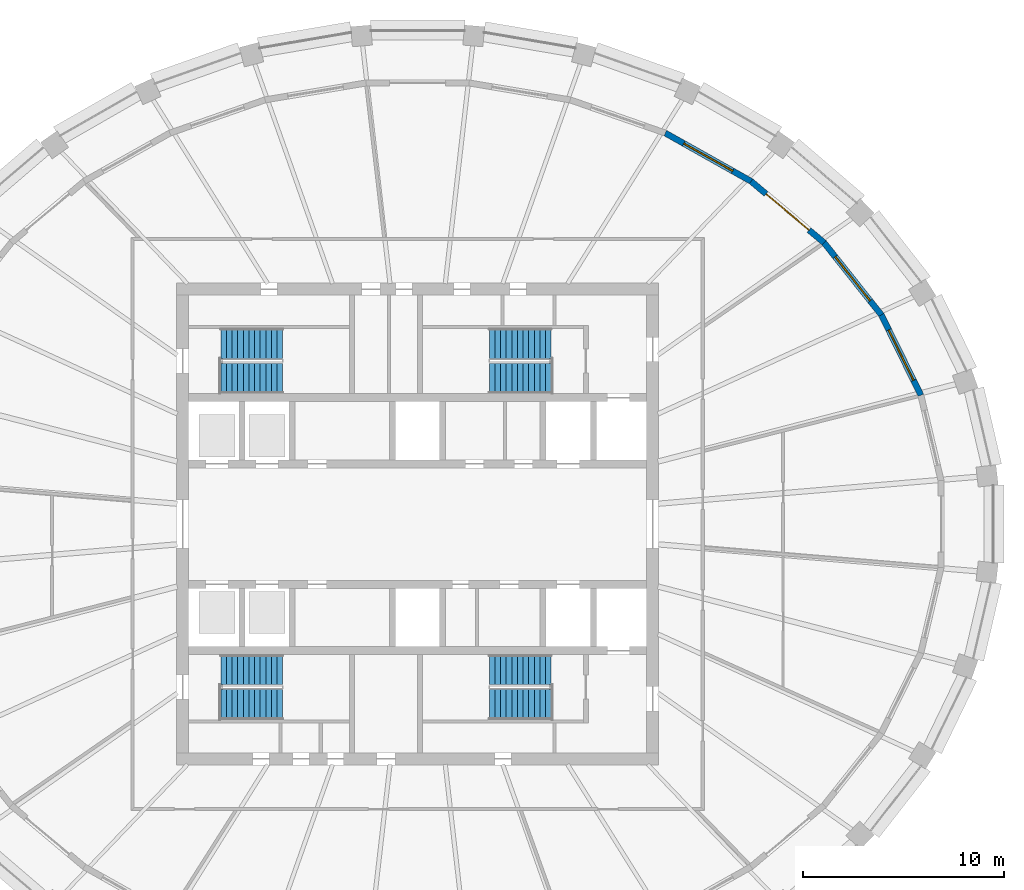
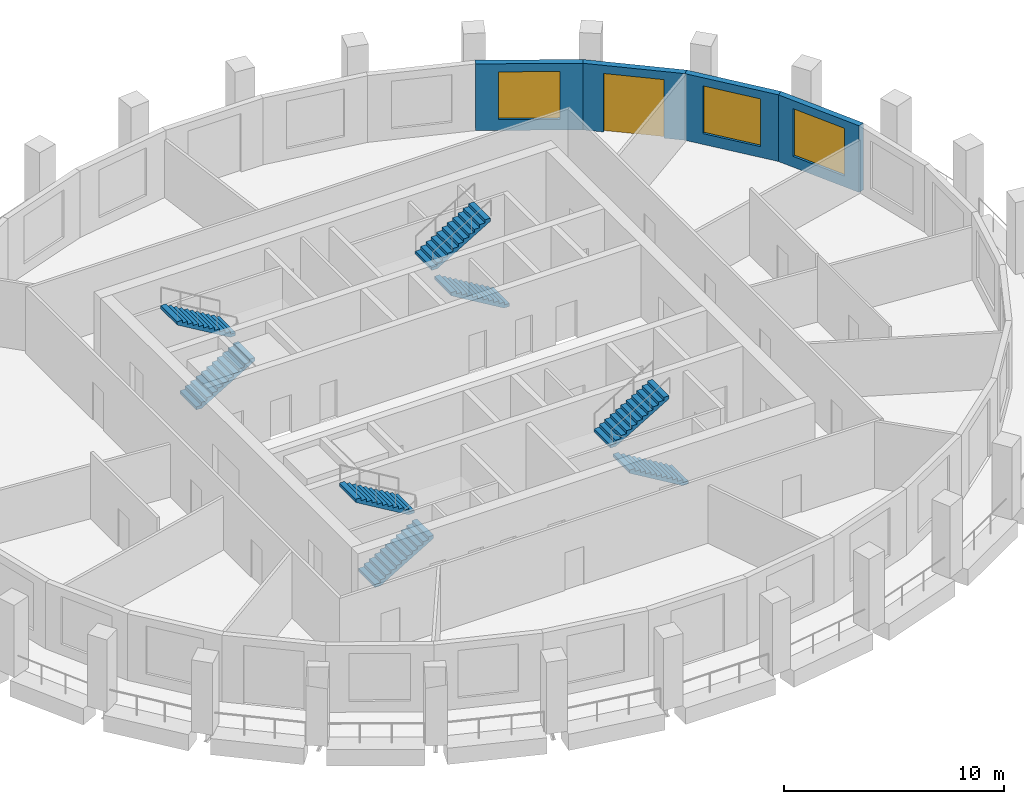
# One storey, part 7 of 10: 8 stair flights, 4 walls, 3 windows, 1 door, 4 openings, 4 elements without a shape of their own.
"""IFC4 building model written with IfcOpenShell, lengths in metres."""

from ifc_helpers import new_model, si_unit, direction, frame, frame_2d, origin, place, context, subcontext, project, spatial, polyline, rectangle, outline, extrude, material, layer, layer_set, type_object, element, fill, aggregate, save


model = new_model("IFC4")

# Units and contexts
model_context = context("Model", 3, precision=1e-05, world=origin(), true_north=direction((0.0, 1.0)))
body_context = subcontext(model_context, "Body", "Model", "MODEL_VIEW")
ifc_project = project(units=[si_unit("LENGTHUNIT", "METRE"), si_unit("AREAUNIT", "SQUARE_METRE"), si_unit("VOLUMEUNIT", "CUBIC_METRE"), si_unit("PLANEANGLEUNIT", "RADIAN"), si_unit("MASSUNIT", "GRAM", prefix="KILO")], contexts=[model_context])

# Site, building, storey
site_placement = place(None, origin())
site = spatial("IfcSite", under=ifc_project, at=site_placement, CompositionType="ELEMENT")
building_placement = place(site_placement, origin())
building = spatial("IfcBuilding", under=site, at=building_placement, Name="Halqa Exchange Tower", CompositionType="ELEMENT")
storey_placement = place(building_placement, frame((0.0, 0.0, 312.300048828125)))
storey = spatial("IfcBuildingStorey", under=building, at=storey_placement, Name="L73", CompositionType="ELEMENT", Elevation=312.300048828125)

# Wall, opening, window
ifc_material_1 = material(Name="Limestone cladding", Category="masonry")
ifc_layer_1 = layer(ifc_material_1, 0.0400390625)
ifc_material_2 = material(Name="Ventilated cavity")
ifc_layer_2 = layer(ifc_material_2, 0.030029296875, ventilated=True)
ifc_material_3 = material(Name="Mineral wool insulation")
ifc_layer_3 = layer(ifc_material_3, 0.10009765625)
ifc_material_4 = material(Name="Concrete C30/37", Category="concrete")
ifc_layer_4 = layer(ifc_material_4, 0.10009765625)
ifc_material_5 = material(Name="Internal plaster")
ifc_layer_5 = layer(ifc_material_5, 0.030029296875)
ifc_layer_set = layer_set([ifc_layer_1, ifc_layer_2, ifc_layer_3, ifc_layer_4, ifc_layer_5], Name="Stone-faced insulated wall 300")
wall_type = type_object("IfcWallType", Name="Stone-faced insulated wall 300", PredefinedType="STANDARD", material=ifc_layer_set)
wall_1_placement = place(storey_placement, frame((25.062744140625, 6.41455078125, 0.0), z_axis=(0.0, 0.0, 1.0), x_axis=(-0.441509050872, 0.897256796017, 0.0)))
wall_1 = element("IfcWall", 1, at=wall_1_placement, inside=storey, type_object=wall_type, Name="Glass-line wall 2", PredefinedType="STANDARD", context=body_context, shape_type="SweptSolid", body=[
    extrude(outline(polyline([(-0.016845703125, -0.14990234375), (4.47412109375, -0.14990234375), (4.44189453125, 0.14990234375), (0.016845703125, 0.14990234375), (-0.016845703125, -0.14990234375)])), origin(), (0.0, 0.0, 1.0), 3.699951171875),
])
opening_1_placement = place(wall_1_placement, frame((0.8291015625, 0.0, 0.60009765625)))
opening_1 = element("IfcOpeningElement", 2, at=opening_1_placement, cuts=wall_1, Name="Opening W-F4-02", PredefinedType="OPENING", context=body_context, shape_type="SweptSolid", body=[
    extrude(rectangle(XDim=2.800048828125, YDim=2.64990234375, at=frame_2d((1.39990234375, 1.324951171875))), frame((0.0, 0.162109375, 0.0), z_axis=(0.0, -1.0, 0.0), x_axis=(1.0, 0.0, 0.0)), (0.0, 0.0, 1.0), 0.323974609375),
])
ifc_material_6 = material(Name="Clear low-emissivity glass in aluminium frame", Category="aluminium")
window_type = type_object("IfcWindowType", Name="Fixed clear glazed window 2800 x 2650", PartitioningType="DOUBLE_PANEL_VERTICAL", PredefinedType="WINDOW", material=ifc_material_6)
window_1_placement = place(opening_1_placement, origin())
window_1 = element("IfcWindow", 3, at=window_1_placement, inside=storey, type_object=window_type, Name="Window 4", OverallHeight=2.64990234375, OverallWidth=2.800048828125, PartitioningType="DOUBLE_PANEL_VERTICAL", PredefinedType="WINDOW", context=body_context, shape_type="SweptSolid", body=[
    extrude(rectangle(XDim=2.800048828125, YDim=2.64990234375, at=frame_2d((1.39990234375, 1.324951171875))), frame((0.0, 0.030029296875, 0.0), z_axis=(0.0, -1.0, 0.0), x_axis=(1.0, 0.0, 0.0)), (0.0, 0.0, 1.0), 0.06005859375),
])
fill(opening_1, window_1)

wall_2_placement = place(storey_placement, frame((23.094482421875, 10.41455078125, 0.0), z_axis=(0.0, 0.0, 1.0), x_axis=(-0.621682706372, 0.78326918272, 0.0)))
wall_2 = element("IfcWall", 4, at=wall_2_placement, inside=storey, type_object=wall_type, Name="Glass-line wall 3", PredefinedType="STANDARD", context=body_context, shape_type="SweptSolid", body=[
    extrude(outline(polyline([(-0.01611328125, -0.14990234375), (4.608154296875, -0.14990234375), (4.577880859375, 0.14990234375), (0.01611328125, 0.14990234375), (-0.01611328125, -0.14990234375)])), origin(), (0.0, 0.0, 1.0), 3.699951171875),
])
opening_2_placement = place(wall_2_placement, frame((0.896484375, 0.0, 0.60009765625)))
opening_2 = element("IfcOpeningElement", 5, at=opening_2_placement, cuts=wall_2, Name="Opening W-F4-03", PredefinedType="OPENING", context=body_context, shape_type="SweptSolid", body=[
    extrude(rectangle(XDim=2.800048828125, YDim=2.64990234375, at=frame_2d((1.39990234375, 1.324951171875))), frame((0.0, 0.162109375, 0.0), z_axis=(0.0, -1.0, 0.0), x_axis=(1.0, 0.0, 0.0)), (0.0, 0.0, 1.0), 0.323974609375),
])
window_2_placement = place(opening_2_placement, origin())
window_2 = element("IfcWindow", 6, at=window_2_placement, inside=storey, type_object=window_type, Name="Window 4", OverallHeight=2.64990234375, OverallWidth=2.800048828125, PartitioningType="DOUBLE_PANEL_VERTICAL", PredefinedType="WINDOW", context=body_context, shape_type="SweptSolid", body=[
    extrude(rectangle(XDim=2.800048828125, YDim=2.64990234375, at=frame_2d((1.39990234375, 1.324951171875))), frame((0.0, 0.030029296875, 0.0), z_axis=(0.0, -1.0, 0.0), x_axis=(1.0, 0.0, 0.0)), (0.0, 0.0, 1.0), 0.06005859375),
])
fill(opening_2, window_2)

# Wall, opening, door
wall_3_placement = place(storey_placement, frame((20.239013671875, 14.01220703125, 0.0), z_axis=(0.0, 0.0, 1.0), x_axis=(-0.765059193792, 0.643959959931, 0.0)))
wall_3 = element("IfcWall", 7, at=wall_3_placement, inside=storey, type_object=wall_type, Name="Glass-line wall 4", PredefinedType="STANDARD", context=body_context, shape_type="SweptSolid", body=[
    extrude(outline(polyline([(-0.01513671875, -0.14990234375), (4.761962890625, -0.14990234375), (4.733642578125, 0.14990234375), (0.01513671875, 0.14990234375), (-0.01513671875, -0.14990234375)])), origin(), (0.0, 0.0, 1.0), 3.699951171875),
])
opening_3_placement = place(wall_3_placement, frame((0.973876953125, 0.0, 0.0)))
opening_3 = element("IfcOpeningElement", 8, at=opening_3_placement, cuts=wall_3, Name="Opening LG-F4-01", PredefinedType="OPENING", context=body_context, shape_type="SweptSolid", body=[
    extrude(rectangle(XDim=2.800048828125, YDim=3.25, at=frame_2d((1.39990234375, 1.625))), frame((0.0, 0.162109375, 0.0), z_axis=(0.0, -1.0, 0.0), x_axis=(1.0, 0.0, 0.0)), (0.0, 0.0, 1.0), 0.323974609375),
])
door_type = type_object("IfcDoorType", Name="Glazed sliding loggia door 2800 x 3250", OperationType="DOUBLE_DOOR_SLIDING", PredefinedType="DOOR", material=ifc_material_6)
door_placement = place(opening_3_placement, origin())
door = element("IfcDoor", 9, at=door_placement, inside=storey, type_object=door_type, Name="Loggia door 1", OperationType="DOUBLE_DOOR_SLIDING", OverallHeight=3.25, OverallWidth=2.800048828125, PredefinedType="DOOR", context=body_context, shape_type="SweptSolid", body=[
    extrude(rectangle(XDim=2.800048828125, YDim=3.25, at=frame_2d((1.39990234375, 1.625))), frame((0.0, 0.02490234375, 0.0), z_axis=(0.0, -1.0, 0.0), x_axis=(1.0, 0.0, 0.0)), (0.0, 0.0, 1.0), 0.050048828125),
])
fill(opening_3, door)

# Wall, opening, window
wall_4_placement = place(storey_placement, frame((16.606689453125, 17.069580078125, 0.0), z_axis=(0.0, 0.0, 1.0), x_axis=(-0.871570211895, 0.490270706588, 0.0)))
wall_4 = element("IfcWall", 10, at=wall_4_placement, inside=storey, type_object=wall_type, Name="Glass-line wall 5", PredefinedType="STANDARD", context=body_context, shape_type="SweptSolid", body=[
    extrude(outline(polyline([(-0.01416015625, -0.14990234375), (4.91064453125, -0.14990234375), (4.88427734375, 0.14990234375), (0.01416015625, 0.14990234375), (-0.01416015625, -0.14990234375)])), origin(), (0.0, 0.0, 1.0), 3.699951171875),
])
opening_4_placement = place(wall_4_placement, frame((1.048828125, 0.0, 0.60009765625)))
opening_4 = element("IfcOpeningElement", 11, at=opening_4_placement, cuts=wall_4, Name="Opening W-F4-05", PredefinedType="OPENING", context=body_context, shape_type="SweptSolid", body=[
    extrude(rectangle(XDim=2.800048828125, YDim=2.64990234375, at=frame_2d((1.39990234375, 1.324951171875))), frame((0.0, 0.162109375, 0.0), z_axis=(0.0, -1.0, 0.0), x_axis=(1.0, 0.0, 0.0)), (0.0, 0.0, 1.0), 0.323974609375),
])
window_3_placement = place(opening_4_placement, origin())
window_3 = element("IfcWindow", 12, at=window_3_placement, inside=storey, type_object=window_type, Name="Window 4", OverallHeight=2.64990234375, OverallWidth=2.800048828125, PartitioningType="DOUBLE_PANEL_VERTICAL", PredefinedType="WINDOW", context=body_context, shape_type="SweptSolid", body=[
    extrude(rectangle(XDim=2.800048828125, YDim=2.64990234375, at=frame_2d((1.39990234375, 1.324951171875))), frame((0.0, 0.030029296875, 0.0), z_axis=(0.0, -1.0, 0.0), x_axis=(1.0, 0.0, 0.0)), (0.0, 0.0, 1.0), 0.06005859375),
])
fill(opening_4, window_3)

# Stair, stair flights
stair_type = type_object("IfcStairType", Name="Exit stair 1500 wide", PredefinedType="HALF_TURN_STAIR", material=ifc_material_4)
stair_1_placement = place(storey_placement, origin())
stair_1 = element("IfcStair", 13, at=stair_1_placement, inside=storey, type_object=stair_type, Name="Exit stair ST1", PredefinedType="HALF_TURN_STAIR")
stair_flight_type = type_object("IfcStairFlightType", Name="Stair flight 1500 wide", PredefinedType="STRAIGHT", material=ifc_material_4)
stair_flight_1_placement = place(storey_placement, frame((-9.800048828125, 7.25, 0.0), z_axis=(0.0, 0.0, 1.0), x_axis=(1.0, 0.0, 0.0)))
stair_flight_1 = element("IfcStairFlight", 14, at=stair_flight_1_placement, type_object=stair_flight_type, Name="ST1 flight 1", NumberOfRisers=12, NumberOfTreads=11, PredefinedType="STRAIGHT", RiserHeight=0.166666667, TreadLength=0.28, context=body_context, shape_type="SweptSolid", body=[
    extrude(outline(polyline([(0.0, 0.0), (0.0, 0.166748046875), (0.280029296875, 0.166748046875), (0.280029296875, 0.333251953125), (0.56005859375, 0.333251953125), (0.56005859375, 0.5), (0.840087890625, 0.5), (0.840087890625, 0.666748046875), (1.1201171875, 0.666748046875), (1.1201171875, 0.833251953125), (1.39990234375, 0.833251953125), (1.39990234375, 1.0), (1.679931640625, 1.0), (1.679931640625, 1.166748046875), (1.9599609375, 1.166748046875), (1.9599609375, 1.333251953125), (2.239990234375, 1.333251953125), (2.239990234375, 1.5), (2.52001953125, 1.5), (2.52001953125, 1.666748046875), (2.800048828125, 1.666748046875), (2.800048828125, 1.833251953125), (3.080078125, 1.833251953125), (3.080078125, 2.0), (3.080078125, 1.658935546875), (0.29296875, 0.0), (0.0, 0.0)])), frame((0.0, 0.75, 0.0), z_axis=(0.0, -1.0, 0.0), x_axis=(1.0, 0.0, 0.0)), (0.0, 0.0, 1.0), 1.5),
])
stair_flight_2_placement = place(storey_placement, frame((-6.719970703125, 9.0, 2.0), z_axis=(0.0, 0.0, 1.0), x_axis=(-1.0, 0.0, 0.0)))
stair_flight_2 = element("IfcStairFlight", 15, at=stair_flight_2_placement, type_object=stair_flight_type, Name="ST1 flight 2", NumberOfRisers=12, NumberOfTreads=11, PredefinedType="STRAIGHT", RiserHeight=0.166666667, TreadLength=0.28, context=body_context, shape_type="SweptSolid", body=[
    extrude(outline(polyline([(0.0, 0.0), (0.0, 0.166748046875), (0.280029296875, 0.166748046875), (0.280029296875, 0.333251953125), (0.56005859375, 0.333251953125), (0.56005859375, 0.5), (0.840087890625, 0.5), (0.840087890625, 0.666748046875), (1.1201171875, 0.666748046875), (1.1201171875, 0.833251953125), (1.39990234375, 0.833251953125), (1.39990234375, 1.0), (1.679931640625, 1.0), (1.679931640625, 1.166748046875), (1.9599609375, 1.166748046875), (1.9599609375, 1.333251953125), (2.239990234375, 1.333251953125), (2.239990234375, 1.5), (2.52001953125, 1.5), (2.52001953125, 1.666748046875), (2.800048828125, 1.666748046875), (2.800048828125, 1.833251953125), (3.080078125, 1.833251953125), (3.080078125, 2.0), (3.080078125, 1.658935546875), (0.29296875, 0.0), (0.0, 0.0)])), frame((0.0, 0.75, 0.0), z_axis=(0.0, -1.0, 0.0), x_axis=(1.0, 0.0, 0.0)), (0.0, 0.0, 1.0), 1.5),
])
aggregate(stair_1, [stair_flight_1, stair_flight_2])

stair_2_placement = place(storey_placement, origin())
stair_2 = element("IfcStair", 16, at=stair_2_placement, inside=storey, type_object=stair_type, Name="Exit stair ST2", PredefinedType="HALF_TURN_STAIR")
stair_flight_3_placement = place(storey_placement, frame((6.64990234375, 7.25, 0.0), z_axis=(0.0, 0.0, 1.0), x_axis=(-1.0, 0.0, 0.0)))
stair_flight_3 = element("IfcStairFlight", 17, at=stair_flight_3_placement, type_object=stair_flight_type, Name="ST2 flight 1", NumberOfRisers=12, NumberOfTreads=11, PredefinedType="STRAIGHT", RiserHeight=0.166666667, TreadLength=0.28, context=body_context, shape_type="SweptSolid", body=[
    extrude(outline(polyline([(0.0, 0.0), (0.0, 0.166748046875), (0.280029296875, 0.166748046875), (0.280029296875, 0.333251953125), (0.56005859375, 0.333251953125), (0.56005859375, 0.5), (0.840087890625, 0.5), (0.840087890625, 0.666748046875), (1.1201171875, 0.666748046875), (1.1201171875, 0.833251953125), (1.39990234375, 0.833251953125), (1.39990234375, 1.0), (1.679931640625, 1.0), (1.679931640625, 1.166748046875), (1.9599609375, 1.166748046875), (1.9599609375, 1.333251953125), (2.239990234375, 1.333251953125), (2.239990234375, 1.5), (2.52001953125, 1.5), (2.52001953125, 1.666748046875), (2.800048828125, 1.666748046875), (2.800048828125, 1.833251953125), (3.080078125, 1.833251953125), (3.080078125, 2.0), (3.080078125, 1.658935546875), (0.29296875, 0.0), (0.0, 0.0)])), frame((0.0, 0.75, 0.0), z_axis=(0.0, -1.0, 0.0), x_axis=(1.0, 0.0, 0.0)), (0.0, 0.0, 1.0), 1.5),
])
stair_flight_4_placement = place(storey_placement, frame((3.570068359375, 9.0, 2.0), z_axis=(0.0, 0.0, 1.0), x_axis=(1.0, 0.0, 0.0)))
stair_flight_4 = element("IfcStairFlight", 18, at=stair_flight_4_placement, type_object=stair_flight_type, Name="ST2 flight 2", NumberOfRisers=12, NumberOfTreads=11, PredefinedType="STRAIGHT", RiserHeight=0.166666667, TreadLength=0.28, context=body_context, shape_type="SweptSolid", body=[
    extrude(outline(polyline([(0.0, 0.0), (0.0, 0.166748046875), (0.280029296875, 0.166748046875), (0.280029296875, 0.333251953125), (0.56005859375, 0.333251953125), (0.56005859375, 0.5), (0.840087890625, 0.5), (0.840087890625, 0.666748046875), (1.1201171875, 0.666748046875), (1.1201171875, 0.833251953125), (1.39990234375, 0.833251953125), (1.39990234375, 1.0), (1.679931640625, 1.0), (1.679931640625, 1.166748046875), (1.9599609375, 1.166748046875), (1.9599609375, 1.333251953125), (2.239990234375, 1.333251953125), (2.239990234375, 1.5), (2.52001953125, 1.5), (2.52001953125, 1.666748046875), (2.800048828125, 1.666748046875), (2.800048828125, 1.833251953125), (3.080078125, 1.833251953125), (3.080078125, 2.0), (3.080078125, 1.658935546875), (0.29296875, 0.0), (0.0, 0.0)])), frame((0.0, 0.75, 0.0), z_axis=(0.0, -1.0, 0.0), x_axis=(1.0, 0.0, 0.0)), (0.0, 0.0, 1.0), 1.5),
])
aggregate(stair_2, [stair_flight_3, stair_flight_4])

stair_3_placement = place(storey_placement, origin())
stair_3 = element("IfcStair", 19, at=stair_3_placement, inside=storey, type_object=stair_type, Name="Exit stair ST3", PredefinedType="HALF_TURN_STAIR")
stair_flight_5_placement = place(storey_placement, frame((-9.800048828125, -9.0, 0.0), z_axis=(0.0, 0.0, 1.0), x_axis=(1.0, 0.0, 0.0)))
stair_flight_5 = element("IfcStairFlight", 20, at=stair_flight_5_placement, type_object=stair_flight_type, Name="ST3 flight 1", NumberOfRisers=12, NumberOfTreads=11, PredefinedType="STRAIGHT", RiserHeight=0.166666667, TreadLength=0.28, context=body_context, shape_type="SweptSolid", body=[
    extrude(outline(polyline([(0.0, 0.0), (0.0, 0.166748046875), (0.280029296875, 0.166748046875), (0.280029296875, 0.333251953125), (0.56005859375, 0.333251953125), (0.56005859375, 0.5), (0.840087890625, 0.5), (0.840087890625, 0.666748046875), (1.1201171875, 0.666748046875), (1.1201171875, 0.833251953125), (1.39990234375, 0.833251953125), (1.39990234375, 1.0), (1.679931640625, 1.0), (1.679931640625, 1.166748046875), (1.9599609375, 1.166748046875), (1.9599609375, 1.333251953125), (2.239990234375, 1.333251953125), (2.239990234375, 1.5), (2.52001953125, 1.5), (2.52001953125, 1.666748046875), (2.800048828125, 1.666748046875), (2.800048828125, 1.833251953125), (3.080078125, 1.833251953125), (3.080078125, 2.0), (3.080078125, 1.658935546875), (0.29296875, 0.0), (0.0, 0.0)])), frame((0.0, 0.75, 0.0), z_axis=(0.0, -1.0, 0.0), x_axis=(1.0, 0.0, 0.0)), (0.0, 0.0, 1.0), 1.5),
])
stair_flight_6_placement = place(storey_placement, frame((-6.719970703125, -7.25, 2.0), z_axis=(0.0, 0.0, 1.0), x_axis=(-1.0, 0.0, 0.0)))
stair_flight_6 = element("IfcStairFlight", 21, at=stair_flight_6_placement, type_object=stair_flight_type, Name="ST3 flight 2", NumberOfRisers=12, NumberOfTreads=11, PredefinedType="STRAIGHT", RiserHeight=0.166666667, TreadLength=0.28, context=body_context, shape_type="SweptSolid", body=[
    extrude(outline(polyline([(0.0, 0.0), (0.0, 0.166748046875), (0.280029296875, 0.166748046875), (0.280029296875, 0.333251953125), (0.56005859375, 0.333251953125), (0.56005859375, 0.5), (0.840087890625, 0.5), (0.840087890625, 0.666748046875), (1.1201171875, 0.666748046875), (1.1201171875, 0.833251953125), (1.39990234375, 0.833251953125), (1.39990234375, 1.0), (1.679931640625, 1.0), (1.679931640625, 1.166748046875), (1.9599609375, 1.166748046875), (1.9599609375, 1.333251953125), (2.239990234375, 1.333251953125), (2.239990234375, 1.5), (2.52001953125, 1.5), (2.52001953125, 1.666748046875), (2.800048828125, 1.666748046875), (2.800048828125, 1.833251953125), (3.080078125, 1.833251953125), (3.080078125, 2.0), (3.080078125, 1.658935546875), (0.29296875, 0.0), (0.0, 0.0)])), frame((0.0, 0.75, 0.0), z_axis=(0.0, -1.0, 0.0), x_axis=(1.0, 0.0, 0.0)), (0.0, 0.0, 1.0), 1.5),
])
aggregate(stair_3, [stair_flight_5, stair_flight_6])

stair_4_placement = place(storey_placement, origin())
stair_4 = element("IfcStair", 22, at=stair_4_placement, inside=storey, type_object=stair_type, Name="Exit stair ST4", PredefinedType="HALF_TURN_STAIR")
stair_flight_7_placement = place(storey_placement, frame((6.64990234375, -9.0, 0.0), z_axis=(0.0, 0.0, 1.0), x_axis=(-1.0, 0.0, 0.0)))
stair_flight_7 = element("IfcStairFlight", 23, at=stair_flight_7_placement, type_object=stair_flight_type, Name="ST4 flight 1", NumberOfRisers=12, NumberOfTreads=11, PredefinedType="STRAIGHT", RiserHeight=0.166666667, TreadLength=0.28, context=body_context, shape_type="SweptSolid", body=[
    extrude(outline(polyline([(0.0, 0.0), (0.0, 0.166748046875), (0.280029296875, 0.166748046875), (0.280029296875, 0.333251953125), (0.56005859375, 0.333251953125), (0.56005859375, 0.5), (0.840087890625, 0.5), (0.840087890625, 0.666748046875), (1.1201171875, 0.666748046875), (1.1201171875, 0.833251953125), (1.39990234375, 0.833251953125), (1.39990234375, 1.0), (1.679931640625, 1.0), (1.679931640625, 1.166748046875), (1.9599609375, 1.166748046875), (1.9599609375, 1.333251953125), (2.239990234375, 1.333251953125), (2.239990234375, 1.5), (2.52001953125, 1.5), (2.52001953125, 1.666748046875), (2.800048828125, 1.666748046875), (2.800048828125, 1.833251953125), (3.080078125, 1.833251953125), (3.080078125, 2.0), (3.080078125, 1.658935546875), (0.29296875, 0.0), (0.0, 0.0)])), frame((0.0, 0.75, 0.0), z_axis=(0.0, -1.0, 0.0), x_axis=(1.0, 0.0, 0.0)), (0.0, 0.0, 1.0), 1.5),
])
stair_flight_8_placement = place(storey_placement, frame((3.570068359375, -7.25, 2.0), z_axis=(0.0, 0.0, 1.0), x_axis=(1.0, 0.0, 0.0)))
stair_flight_8 = element("IfcStairFlight", 24, at=stair_flight_8_placement, type_object=stair_flight_type, Name="ST4 flight 2", NumberOfRisers=12, NumberOfTreads=11, PredefinedType="STRAIGHT", RiserHeight=0.166666667, TreadLength=0.28, context=body_context, shape_type="SweptSolid", body=[
    extrude(outline(polyline([(0.0, 0.0), (0.0, 0.166748046875), (0.280029296875, 0.166748046875), (0.280029296875, 0.333251953125), (0.56005859375, 0.333251953125), (0.56005859375, 0.5), (0.840087890625, 0.5), (0.840087890625, 0.666748046875), (1.1201171875, 0.666748046875), (1.1201171875, 0.833251953125), (1.39990234375, 0.833251953125), (1.39990234375, 1.0), (1.679931640625, 1.0), (1.679931640625, 1.166748046875), (1.9599609375, 1.166748046875), (1.9599609375, 1.333251953125), (2.239990234375, 1.333251953125), (2.239990234375, 1.5), (2.52001953125, 1.5), (2.52001953125, 1.666748046875), (2.800048828125, 1.666748046875), (2.800048828125, 1.833251953125), (3.080078125, 1.833251953125), (3.080078125, 2.0), (3.080078125, 1.658935546875), (0.29296875, 0.0), (0.0, 0.0)])), frame((0.0, 0.75, 0.0), z_axis=(0.0, -1.0, 0.0), x_axis=(1.0, 0.0, 0.0)), (0.0, 0.0, 1.0), 1.5),
])
aggregate(stair_4, [stair_flight_7, stair_flight_8])

save(model, "model.ifc")
